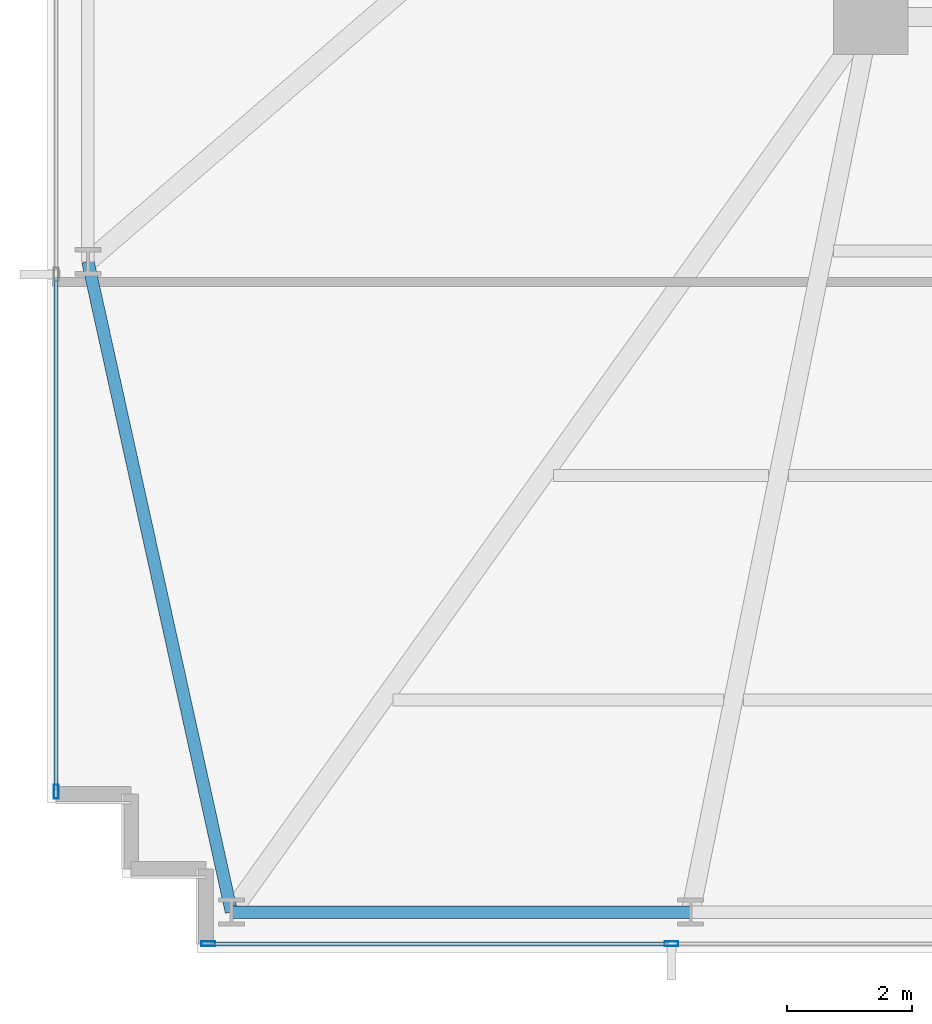
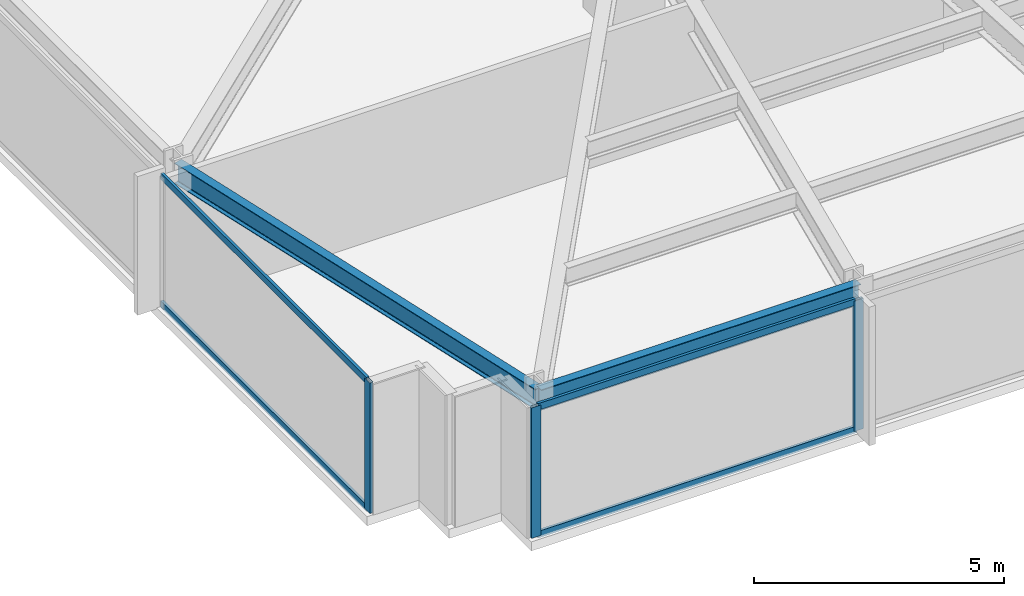
# One storey, part 2 of 32: 7 members, 2 beams, 2 elements without a shape of their own.
"""IFC4 building model written with IfcOpenShell, lengths in metres."""

from ifc_helpers import new_model, si_unit, direction, frame, origin, origin_2d, place, context, subcontext, project, spatial, hollow_rectangle, i_section, extrude, material, material_profile, profile_set, type_object, element, aggregate, save


model = new_model("IFC4")

# Units and contexts
model_context = context("Model", 3, precision=1e-05, world=origin(), true_north=direction((0.0, 1.0)))
body_context = subcontext(model_context, "Body", "Model", "MODEL_VIEW")
ifc_project = project(units=[si_unit("LENGTHUNIT", "METRE"), si_unit("AREAUNIT", "SQUARE_METRE"), si_unit("VOLUMEUNIT", "CUBIC_METRE"), si_unit("PLANEANGLEUNIT", "RADIAN"), si_unit("MASSUNIT", "GRAM", prefix="KILO")], contexts=[model_context])

# Site, building, storey
site_placement = place(None, origin())
site = spatial("IfcSite", under=ifc_project, at=site_placement, CompositionType="ELEMENT")
building_placement = place(site_placement, origin())
building = spatial("IfcBuilding", under=site, at=building_placement, Name="Yelkora Congress Tower", CompositionType="ELEMENT")
storey_placement = place(building_placement, frame((0.0, 0.0, 44.0)))
storey = spatial("IfcBuildingStorey", under=building, at=storey_placement, Name="L10", CompositionType="ELEMENT", Elevation=44.0)

# Beams
ifc_material_1 = material(Name="Steel S355J2", Category="steel")
ifc_material_profile_1 = material_profile(ifc_material_1, i_section(OverallWidth=0.199951171875, OverallDepth=0.5, WebThickness=0.01025390625, FlangeThickness=0.01611328125, FilletRadius=0.02099609375, at=origin_2d()), Name="IPE 500")
ifc_profile_set_1 = profile_set([ifc_material_profile_1], Name="Steel S355J2")
beam_type = type_object("IfcBeamType", Name="BM-SPAN-IPE500", PredefinedType="SPANDREL", material=ifc_profile_set_1)
beam_1_placement = place(storey_placement, frame((6.64990234375, 21.27490234375, 2.929931640625), z_axis=(0.215450706142, -0.976514717361, 0.0), x_axis=(0.976514717361, 0.215450706142, 0.0)))
element("IfcBeam", 1, at=beam_1_placement, inside=storey, type_object=beam_type, Name="L10 Perimeter Beam 1", PredefinedType="SPANDREL", context=body_context, shape_type="SweptSolid", body=[
    extrude(i_section(OverallWidth=0.199951171875, OverallDepth=0.5, WebThickness=0.01025390625, FlangeThickness=0.01611328125, FilletRadius=0.02099609375, at=origin_2d()), origin(), (0.0, 0.0, 1.0), 10.675537109375),
])
beam_2_placement = place(storey_placement, frame((8.949951171875, 10.85009765625, 2.929931640625), z_axis=(1.0, 0.0, 0.0), x_axis=(0.0, 1.0, 0.0)))
element("IfcBeam", 2, at=beam_2_placement, inside=storey, type_object=beam_type, Name="L10 Perimeter Beam 2", PredefinedType="SPANDREL", context=body_context, shape_type="SweptSolid", body=[
    extrude(i_section(OverallWidth=0.199951171875, OverallDepth=0.5, WebThickness=0.01025390625, FlangeThickness=0.01611328125, FilletRadius=0.02099609375, at=origin_2d()), origin(), (0.0, 0.0, 1.0), 7.362548828125),
])

# Curtain wall, member
ifc_material_2 = material(Name="Anodised aluminium and insulated glass", Category="aluminium")
curtain_wall_type = type_object("IfcCurtainWallType", Name="CW-SYS-B1", PredefinedType="NOTDEFINED", material=ifc_material_2)
curtain_wall_1_placement = place(storey_placement, origin())
curtain_wall_1 = element("IfcCurtainWall", 3, at=curtain_wall_1_placement, inside=storey, type_object=curtain_wall_type, Name="L10 Unitised Curtain Wall 5", PredefinedType="NOTDEFINED")
ifc_material_3 = material(Name="Anodised aluminium 6063-T6", Category="aluminium")
ifc_material_profile_2 = material_profile(ifc_material_3, hollow_rectangle(XDim=0.074951171875, YDim=0.219970703125, WallThickness=0.0048828125, at=origin_2d()), Name="ALU 75x220x5")
ifc_profile_set_2 = profile_set([ifc_material_profile_2], Name="Anodised aluminium 6063-T6")
member_type_1 = type_object("IfcMemberType", Name="MEM-ML-B1", PredefinedType="MULLION", material=ifc_profile_set_2)
member_1_placement = place(storey_placement, frame((6.139892578125, 12.777587890625, 0.0), z_axis=(0.0, 0.0, 1.0), x_axis=(-1.0, 0.0, 0.0)))
member_1 = element("IfcMember", 4, at=member_1_placement, type_object=member_type_1, Name="CW-B1 mullion 1", PredefinedType="MULLION", context=body_context, shape_type="SweptSolid", body=[
    extrude(hollow_rectangle(XDim=0.074951171875, YDim=0.219970703125, WallThickness=0.0048828125, at=origin_2d()), origin(), (0.0, 0.0, 1.0), 3.179931640625),
])

# Curtain wall, members
curtain_wall_2_placement = place(storey_placement, origin())
curtain_wall_2 = element("IfcCurtainWall", 5, at=curtain_wall_2_placement, inside=storey, type_object=curtain_wall_type, Name="L10 Unitised Curtain Wall 20", PredefinedType="NOTDEFINED")
member_2_placement = place(storey_placement, frame((16.0048828125, 10.340087890625, 0.0), z_axis=(0.0, 0.0, 1.0), x_axis=(0.0, -1.0, 0.0)))
member_2 = element("IfcMember", 6, at=member_2_placement, type_object=member_type_1, Name="CW-B1 mullion 8", PredefinedType="MULLION", context=body_context, shape_type="SweptSolid", body=[
    extrude(hollow_rectangle(XDim=0.074951171875, YDim=0.219970703125, WallThickness=0.0048828125, at=origin_2d()), origin(), (0.0, 0.0, 1.0), 3.179931640625),
])
member_3_placement = place(storey_placement, frame((8.577392578125, 10.340087890625, 0.0), z_axis=(0.0, 0.0, 1.0), x_axis=(0.0, -1.0, 0.0)))
member_3 = element("IfcMember", 7, at=member_3_placement, type_object=member_type_1, Name="CW-B1 mullion 9", PredefinedType="MULLION", context=body_context, shape_type="SweptSolid", body=[
    extrude(hollow_rectangle(XDim=0.074951171875, YDim=0.219970703125, WallThickness=0.0048828125, at=origin_2d()), origin(), (0.0, 0.0, 1.0), 3.179931640625),
])

# Member
ifc_material_profile_3 = material_profile(ifc_material_3, hollow_rectangle(XDim=0.06494140625, YDim=0.159912109375, WallThickness=0.00390625, at=origin_2d()), Name="ALU 65x160x4")
ifc_profile_set_3 = profile_set([ifc_material_profile_3], Name="Anodised aluminium 6063-T6")
member_type_2 = type_object("IfcMemberType", Name="MEM-TR-B1", PredefinedType="USERDEFINED", material=ifc_profile_set_3)
member_4_placement = place(storey_placement, frame((6.139892578125, 12.81494140625, 0.032470703125), z_axis=(0.0, 1.0, 0.0), x_axis=(-1.0, 0.0, 0.0)))
member_4 = element("IfcMember", 8, at=member_4_placement, type_object=member_type_2, Name="CW-B1 transom 1.1", ObjectType="TRANSOM", PredefinedType="USERDEFINED", context=body_context, shape_type="SweptSolid", body=[
    extrude(hollow_rectangle(XDim=0.06494140625, YDim=0.159912109375, WallThickness=0.00390625, at=origin_2d()), origin(), (0.0, 0.0, 1.0), 8.217529296875),
])

member_5_placement = place(storey_placement, frame((6.139892578125, 12.81494140625, 3.1474609375), z_axis=(0.0, 1.0, 0.0), x_axis=(-1.0, 0.0, 0.0)))
member_5 = element("IfcMember", 9, at=member_5_placement, type_object=member_type_2, Name="CW-B1 transom 1.2", ObjectType="TRANSOM", PredefinedType="USERDEFINED", context=body_context, shape_type="SweptSolid", body=[
    extrude(hollow_rectangle(XDim=0.06494140625, YDim=0.159912109375, WallThickness=0.00390625, at=origin_2d()), origin(), (0.0, 0.0, 1.0), 8.217529296875),
])

aggregate(curtain_wall_1, [member_1, member_4, member_5])

member_6_placement = place(storey_placement, frame((15.967529296875, 10.340087890625, 0.032470703125), z_axis=(-1.0, 0.0, 0.0), x_axis=(0.0, -1.0, 0.0)))
member_6 = element("IfcMember", 10, at=member_6_placement, type_object=member_type_2, Name="CW-B1 transom 8.1", ObjectType="TRANSOM", PredefinedType="USERDEFINED", context=body_context, shape_type="SweptSolid", body=[
    extrude(hollow_rectangle(XDim=0.06494140625, YDim=0.159912109375, WallThickness=0.00390625, at=origin_2d()), origin(), (0.0, 0.0, 1.0), 7.3525390625),
])

member_7_placement = place(storey_placement, frame((15.967529296875, 10.340087890625, 3.1474609375), z_axis=(-1.0, 0.0, 0.0), x_axis=(0.0, -1.0, 0.0)))
member_7 = element("IfcMember", 11, at=member_7_placement, type_object=member_type_2, Name="CW-B1 transom 8.2", ObjectType="TRANSOM", PredefinedType="USERDEFINED", context=body_context, shape_type="SweptSolid", body=[
    extrude(hollow_rectangle(XDim=0.06494140625, YDim=0.159912109375, WallThickness=0.00390625, at=origin_2d()), origin(), (0.0, 0.0, 1.0), 7.3525390625),
])

aggregate(curtain_wall_2, [member_2, member_3, member_6, member_7])

save(model, "model.ifc")
